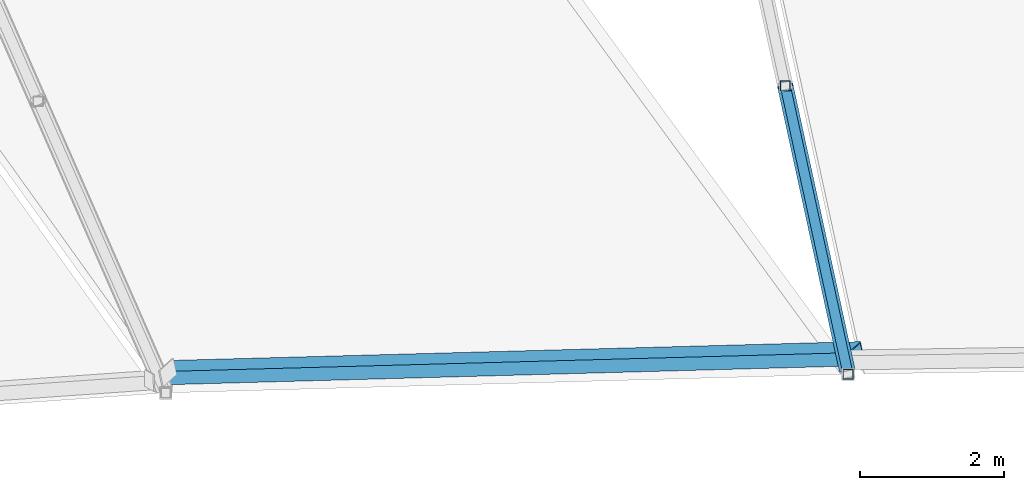
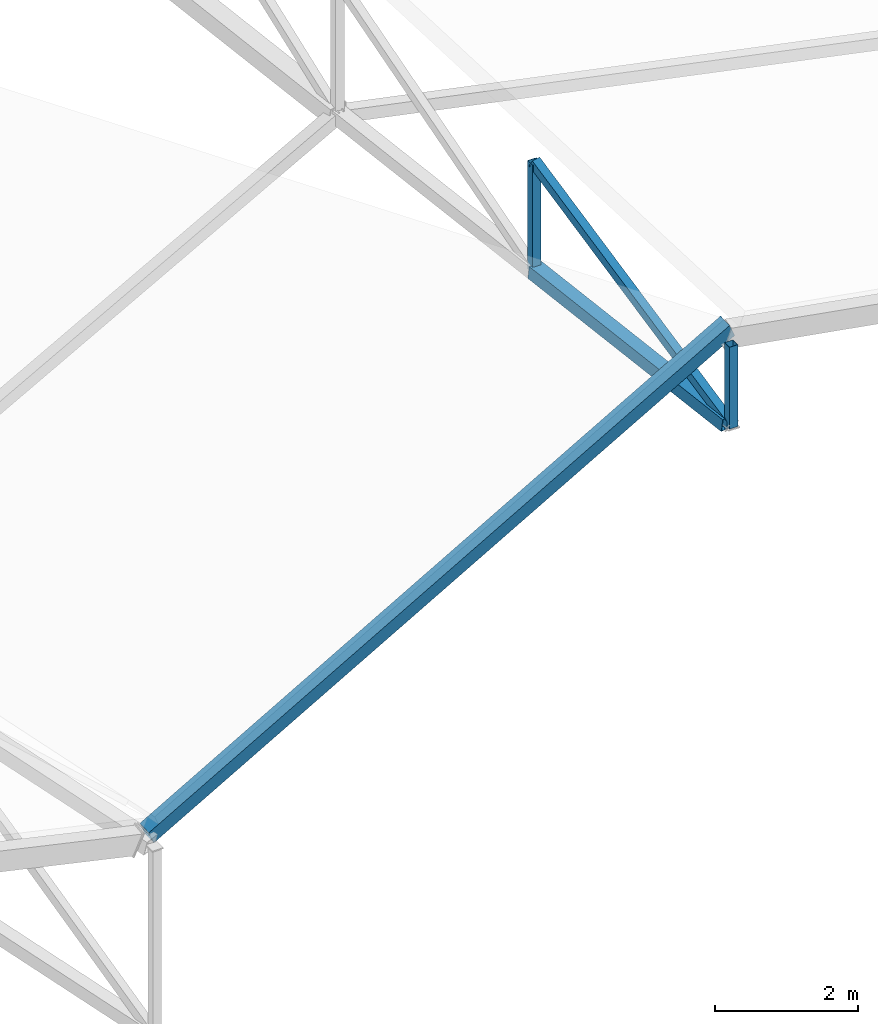
# One storey, part 143 of 344: 4 members, 1 beam.
"""IFC4 building model written with IfcOpenShell, lengths in metres."""

from ifc_helpers import new_model, si_unit, direction, frame, origin, origin_2d, place, context, subcontext, project, spatial, hollow_rectangle, extrude, material, material_profile, profile_set, type_object, element, save


model = new_model("IFC4")

# Units and contexts
model_context = context("Model", 3, precision=1e-05, world=origin(), true_north=direction((0.0, 1.0)))
body_context = subcontext(model_context, "Body", "Model", "MODEL_VIEW")
ifc_project = project(units=[si_unit("LENGTHUNIT", "METRE"), si_unit("AREAUNIT", "SQUARE_METRE"), si_unit("VOLUMEUNIT", "CUBIC_METRE"), si_unit("PLANEANGLEUNIT", "RADIAN"), si_unit("MASSUNIT", "GRAM", prefix="KILO")], contexts=[model_context])

# Site, building, storey
site_placement = place(None, origin())
site = spatial("IfcSite", under=ifc_project, at=site_placement, CompositionType="ELEMENT")
building_placement = place(site_placement, origin())
building = spatial("IfcBuilding", under=site, at=building_placement, Name="Meseta Stadium", CompositionType="ELEMENT")
storey_placement = place(building_placement, frame((0.0, 0.0, 24.0)))
storey = spatial("IfcBuildingStorey", under=building, at=storey_placement, Name="L04", CompositionType="ELEMENT", Elevation=24.0)

# Beam
ifc_material_1 = material(Name="Steel S355", Category="steel")
ifc_material_profile_1 = material_profile(ifc_material_1, hollow_rectangle(XDim=0.199951171875, YDim=0.39990234375, WallThickness=0.01611328125, at=origin_2d()), Name="RHS 400x200x16")
ifc_profile_set_1 = profile_set([ifc_material_profile_1], Name="Steel S355")
beam_type = type_object("IfcBeamType", Name="RHS 400x200x16 tip ring beam", PredefinedType="BEAM", material=ifc_profile_set_1)
beam_placement = place(storey_placement, frame((-14.28271484375, 66.12109375, 6.789794921875), z_axis=(-0.878872165511, -0.024077152541, -0.476449375502), x_axis=(0.204990670252, -0.920881844182, -0.331595316864)))
element("IfcBeam", 1, at=beam_placement, inside=storey, type_object=beam_type, Name="TIP RING BEAM 21", PredefinedType="BEAM", context=body_context, shape_type="SweptSolid", body=[
    extrude(hollow_rectangle(XDim=0.199951171875, YDim=0.39990234375, WallThickness=0.01611328125, at=origin_2d()), origin(), (0.0, 0.0, 1.0), 10.880126953125),
])

# Members
ifc_material_2 = material(Name="Steel S355", Category="steel")
ifc_material_profile_2 = material_profile(ifc_material_2, hollow_rectangle(XDim=0.139892578125, YDim=0.139892578125, WallThickness=0.0048828125, at=origin_2d()), Name="SHS 140x140x5")
ifc_profile_set_2 = profile_set([ifc_material_profile_2], Name="Steel S355")
member_type_1 = type_object("IfcMemberType", Name="SHS 140x140x5 diagonal", PredefinedType="BRACE", material=ifc_profile_set_2)
member_1_placement = place(storey_placement, frame((-14.3896484375, 65.8369140625, 5.29296875), z_axis=(-0.183749864553, 0.844190862624, 0.50356506505), x_axis=(-0.97712104234, -0.212683964174, 0.0)))
element("IfcMember", 2, at=member_1_placement, inside=storey, type_object=member_type_1, Name="ROOF TRUSS RT-20 diagonal", PredefinedType="BRACE", context=body_context, shape_type="SweptSolid", body=[
    extrude(hollow_rectangle(XDim=0.139892578125, YDim=0.139892578125, WallThickness=0.0048828125, at=origin_2d()), origin(), (0.0, 0.0, 1.0), 4.751220703125),
])
ifc_material_3 = material(Name="Steel S355", Category="steel")
ifc_material_profile_3 = material_profile(ifc_material_3, hollow_rectangle(XDim=0.139892578125, YDim=0.139892578125, WallThickness=0.0048828125, at=origin_2d()), Name="SHS 140x140x5")
ifc_profile_set_3 = profile_set([ifc_material_profile_3], Name="Steel S355")
member_type_2 = type_object("IfcMemberType", Name="SHS 140x140x5 post", PredefinedType="POST", material=ifc_profile_set_3)
member_2_placement = place(storey_placement, frame((-15.2626953125, 69.847900390625, 5.834716796875), z_axis=(0.0, 0.0, 1.0), x_axis=(1.0, 0.0, 0.0)))
element("IfcMember", 3, at=member_2_placement, inside=storey, type_object=member_type_2, Name="ROOF TRUSS RT-20 post", PredefinedType="POST", context=body_context, shape_type="SweptSolid", body=[
    extrude(hollow_rectangle(XDim=0.139892578125, YDim=0.139892578125, WallThickness=0.0048828125, at=origin_2d()), origin(), (0.0, 0.0, 1.0), 1.850830078125),
])
ifc_material_4 = material(Name="Steel S355", Category="steel")
ifc_material_profile_4 = material_profile(ifc_material_4, hollow_rectangle(XDim=0.139892578125, YDim=0.139892578125, WallThickness=0.0048828125, at=origin_2d()), Name="SHS 140x140x5")
ifc_profile_set_4 = profile_set([ifc_material_profile_4], Name="Steel S355")
member_type_3 = type_object("IfcMemberType", Name="SHS 140x140x5 rim post", PredefinedType="POST", material=ifc_profile_set_4)
member_3_placement = place(storey_placement, frame((-14.3896484375, 65.8369140625, 5.29296875), z_axis=(0.0, 0.0, 1.0), x_axis=(1.0, 0.0, 0.0)))
element("IfcMember", 4, at=member_3_placement, inside=storey, type_object=member_type_3, Name="ROOF TRUSS RT-20 post", PredefinedType="POST", context=body_context, shape_type="SweptSolid", body=[
    extrude(hollow_rectangle(XDim=0.139892578125, YDim=0.139892578125, WallThickness=0.0048828125, at=origin_2d()), origin(), (0.0, 0.0, 1.0), 1.400146484375),
])
ifc_material_5 = material(Name="Steel S355", Category="steel")
ifc_material_profile_5 = material_profile(ifc_material_5, hollow_rectangle(XDim=0.219970703125, YDim=0.219970703125, WallThickness=0.008056640625, at=origin_2d()), Name="SHS 220x220x8")
ifc_profile_set_5 = profile_set([ifc_material_profile_5], Name="Steel S355")
member_type_4 = type_object("IfcMemberType", Name="SHS 220x220x8 bottom chord", PredefinedType="CHORD", material=ifc_profile_set_5)
member_4_placement = place(storey_placement, frame((-14.404541015625, 65.904541015625, 5.30224609375), z_axis=(-0.210816035623, 0.968734169953, 0.130807901478), x_axis=(-0.977129931286, -0.212643122119, 0.0)))
element("IfcMember", 5, at=member_4_placement, inside=storey, type_object=member_type_4, Name="ROOF TRUSS RT-20 bottom chord", PredefinedType="CHORD", context=body_context, shape_type="SweptSolid", body=[
    extrude(hollow_rectangle(XDim=0.219970703125, YDim=0.219970703125, WallThickness=0.008056640625, at=origin_2d()), origin(), (0.0, 0.0, 1.0), 4.070556640625),
])

save(model, "model.ifc")
